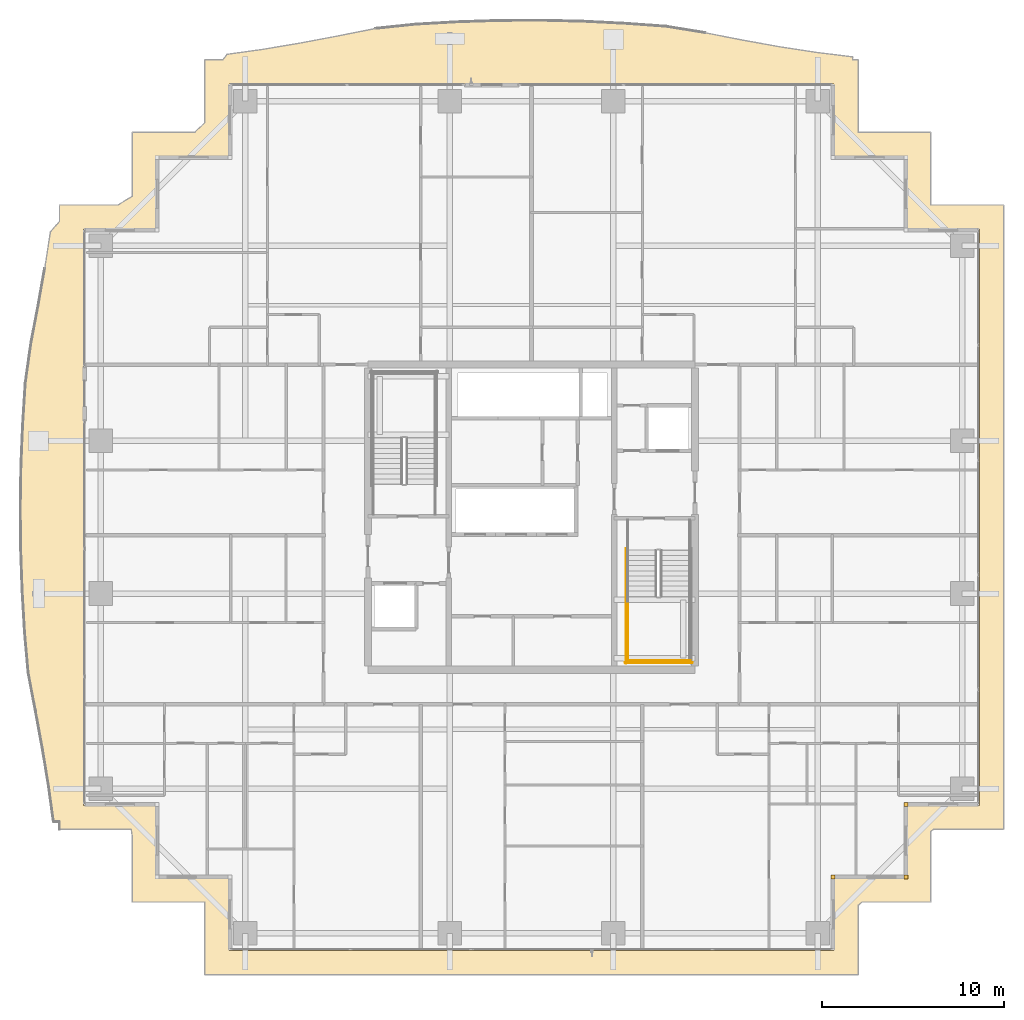
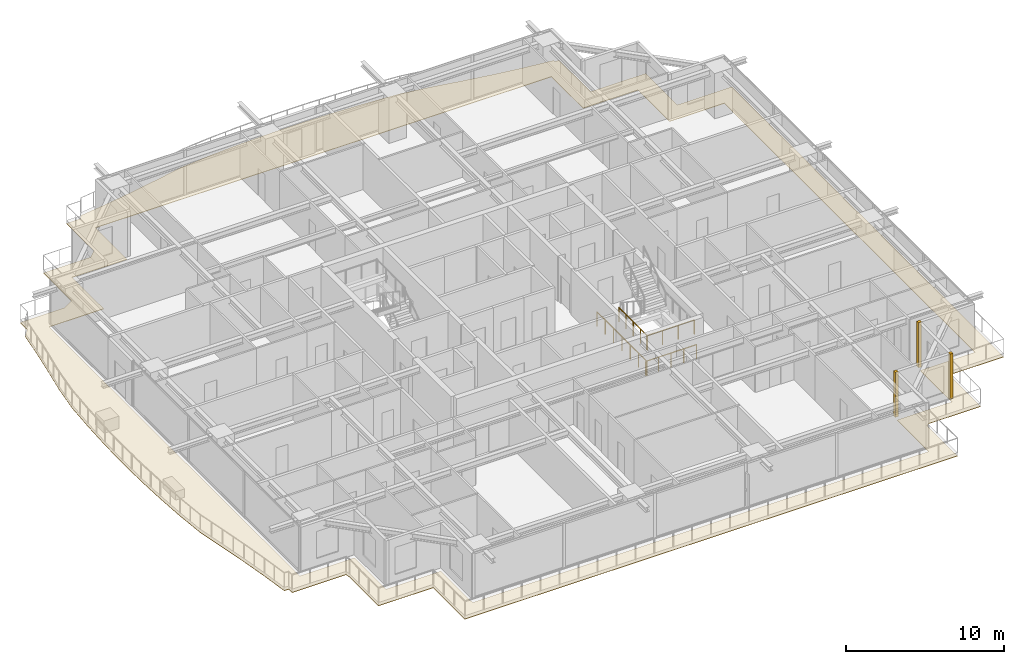
# One storey, part 36 of 39: 4 coverings, 4 railings.
"""IFC4 building model written with IfcOpenShell, lengths in metres."""

from ifc_helpers import new_model, si_unit, direction, frame, origin, origin_2d, place, context, subcontext, project, spatial, polyline, rectangle, circle, outline, extrude, source, transform, mapped, material, layer, layer_set, type_object, element, save


model = new_model("IFC4")

# Units and contexts
model_context = context("Model", 3, precision=1e-05, world=origin(), true_north=direction((0.0, 1.0)))
body_context = subcontext(model_context, "Body", "Model", "MODEL_VIEW")
ifc_project = project(units=[si_unit("LENGTHUNIT", "METRE"), si_unit("AREAUNIT", "SQUARE_METRE"), si_unit("VOLUMEUNIT", "CUBIC_METRE"), si_unit("PLANEANGLEUNIT", "RADIAN"), si_unit("MASSUNIT", "GRAM", prefix="KILO")], contexts=[model_context])

# Site, building, storey
site_placement = place(None, origin())
site = spatial("IfcSite", under=ifc_project, at=site_placement, CompositionType="ELEMENT")
building_placement = place(site_placement, origin())
building = spatial("IfcBuilding", under=site, at=building_placement, Name="Serunith Strait Residences", CompositionType="ELEMENT")
storey_placement = place(building_placement, frame((0.0, 0.0, 123.89990234375)))
storey = spatial("IfcBuildingStorey", under=building, at=storey_placement, Name="L30", CompositionType="ELEMENT", Elevation=123.89990234375)

# Covering
ifc_material_1 = material(Name="Golden Teak Exterior Timber Boarding", Category="wood")
ifc_layer_1 = layer(ifc_material_1, 0.034912109375, Name="Golden Teak Exterior Timber Boarding")
ifc_layer_set_1 = layer_set([ifc_layer_1], Name="Golden Teak Exterior Timber Boarding")
covering_type_1 = type_object("IfcCoveringType", Name="COV-TEAK-SOFFIT", PredefinedType="CEILING", material=ifc_layer_set_1)
covering_placement = place(storey_placement, frame((0.0, 0.0, -0.324951171875)))
element("IfcCovering", 1, at=covering_placement, inside=storey, type_object=covering_type_1, Name="L30 Golden-Teak Balcony Soffit Lining", PredefinedType="CEILING", context=body_context, shape_type="SweptSolid", body=[
    extrude(outline(polyline([(6.419921875, 8.02001953125), (6.419921875, 8.43017578125), (6.096923828125, 8.44873046875), (5.818603515625, 10.45068359375), (5.48583984375, 12.472412109375), (5.107177734375, 14.53076171875), (4.7060546875, 16.644287109375), (4.5078125, 18.869384765625), (4.376708984375, 21.136962890625), (4.29541015625, 23.42919921875), (4.272216796875, 25.733642578125), (4.30908203125, 28.03564453125), (4.403076171875, 30.3212890625), (4.544677734375, 32.5791015625), (4.8505859375, 34.75634765625), (5.24609375, 36.84521484375), (5.6083984375, 38.88623046875), (5.920654296875, 40.8974609375), (6.419921875, 41.4814453125), (6.419921875, 42.3798828125), (9.62939453125, 42.3798828125), (10.419921875, 42.8515625), (10.419921875, 46.3798828125), (13.863525390625, 46.3798828125), (14.419921875, 46.916015625), (14.419921875, 50.3798828125), (15.424072265625, 50.3798828125), (15.6328125, 50.672119140625), (17.630615234375, 50.95166015625), (19.647216796875, 51.290283203125), (21.70068359375, 51.679443359375), (23.8115234375, 52.095458984375), (26.036376953125, 52.325927734375), (28.3154296875, 52.456298828125), (30.6201171875, 52.530517578125), (32.93603515625, 52.540771484375), (35.2470703125, 52.486328125), (37.53759765625, 52.372802734375), (39.7958984375, 52.21142578125), (41.958740234375, 51.860107421875), (44.03759765625, 51.45361328125), (46.06982421875, 51.08935546875), (48.075439453125, 50.7822265625), (50.070068359375, 50.5341796875), (50.06884765625, 50.3798828125), (50.3798828125, 50.3798828125), (50.3798828125, 46.3798828125), (54.3798828125, 46.3798828125), (54.3798828125, 42.3798828125), (58.3798828125, 42.3798828125), (58.3798828125, 8.02001953125), (54.51513671875, 8.02001953125), (54.3798828125, 7.921875), (54.3798828125, 4.02001953125), (50.601806640625, 4.02001953125), (50.3798828125, 3.8408203125), (50.3798828125, 0.02001953125), (14.419921875, 0.02001953125), (14.419921875, 4.02001953125), (10.419921875, 4.02001953125), (10.419921875, 7.688232421875), (10.37109375, 8.02001953125), (6.419921875, 8.02001953125)]), holes=[polyline([(49.054931640625, 1.344970703125), (49.054931640625, 5.344970703125), (53.054931640625, 5.344970703125), (53.054931640625, 9.344970703125), (57.054931640625, 9.344970703125), (57.054931640625, 41.054931640625), (53.054931640625, 41.054931640625), (53.054931640625, 45.054931640625), (49.054931640625, 45.054931640625), (49.054931640625, 49.054931640625), (15.7451171875, 49.054931640625), (15.7451171875, 45.054931640625), (11.7451171875, 45.054931640625), (11.7451171875, 41.054931640625), (7.7451171875, 41.054931640625), (7.7451171875, 9.344970703125), (11.7451171875, 9.344970703125), (11.7451171875, 5.344970703125), (15.7451171875, 5.344970703125), (15.7451171875, 1.344970703125), (49.054931640625, 1.344970703125)])]), origin(), (0.0, 0.0, 1.0), 0.03515625),
])

# Railings
ifc_material_2 = material(Name="Brushed stainless steel 316L", Category="steel")
railing_type = type_object("IfcRailingType", Name="RLG-STAIR-GUARD", PredefinedType="BALUSTRADE", material=ifc_material_2)
railing_1_placement = place(storey_placement, frame((37.699951171875, 20.85009765625, 1.875)))
element("IfcRailing", 2, at=railing_1_placement, inside=storey, type_object=railing_type, Name="L30 ST-2 stair guard 3", PredefinedType="BALUSTRADE", context=body_context, shape_type="SweptSolid", body=[
    extrude(circle(Radius=0.02392578125, at=origin_2d()), frame((0.0, -0.001953125, 1.076171875), z_axis=(0.0, -1.0, 0.0), x_axis=(1.0, 0.0, 0.0)), (0.0, 0.0, 1.0), 3.59619140625),
    extrude(circle(Radius=0.02099609375, at=origin_2d()), origin(), (0.0, 0.0, 1.0), 1.050048828125),
    extrude(circle(Radius=0.02099609375, at=origin_2d()), frame((0.0, -0.89990234375, 0.0)), (0.0, 0.0, 1.0), 1.050048828125),
    extrude(circle(Radius=0.02099609375, at=origin_2d()), frame((0.0, -1.800048828125, 0.0)), (0.0, 0.0, 1.0), 1.050048828125),
    extrude(circle(Radius=0.02099609375, at=origin_2d()), frame((0.0, -2.7001953125, 0.0)), (0.0, 0.0, 1.0), 1.050048828125),
    extrude(circle(Radius=0.02099609375, at=origin_2d()), frame((0.0, -3.60009765625, 0.0)), (0.0, 0.0, 1.0), 1.050048828125),
])
railing_2_placement = place(storey_placement, frame((37.64990234375, 17.300048828125, 1.875)))
element("IfcRailing", 3, at=railing_2_placement, inside=storey, type_object=railing_type, Name="L30 ST-2 stair guard 5", PredefinedType="BALUSTRADE", context=body_context, shape_type="SweptSolid", body=[
    extrude(circle(Radius=0.02392578125, at=origin_2d()), frame((0.001953125, 0.0, 1.076171875), z_axis=(1.0, 0.0, 0.0), x_axis=(0.0, 1.0, 0.0)), (0.0, 0.0, 1.0), 3.49609375),
    extrude(circle(Radius=0.02099609375, at=origin_2d()), origin(), (0.0, 0.0, 1.0), 1.050048828125),
    extrude(circle(Radius=0.02099609375, at=origin_2d()), frame((1.166748046875, 0.0, 0.0)), (0.0, 0.0, 1.0), 1.050048828125),
    extrude(circle(Radius=0.02099609375, at=origin_2d()), frame((2.333251953125, 0.0, 0.0)), (0.0, 0.0, 1.0), 1.050048828125),
    extrude(circle(Radius=0.02099609375, at=origin_2d()), frame((3.5, 0.0, 0.0)), (0.0, 0.0, 1.0), 1.050048828125),
])
railing_3_placement = place(storey_placement, frame((37.60009765625, 23.469970703125, 0.0)))
element("IfcRailing", 4, at=railing_3_placement, inside=storey, type_object=railing_type, Name="L30 ST-2 stair guard 10", PredefinedType="BALUSTRADE", context=body_context, shape_type="SweptSolid", body=[
    extrude(circle(Radius=0.02392578125, at=origin_2d()), frame((0.0, -0.001953125, 1.076171875), z_axis=(0.0, -1.0, 0.0), x_axis=(1.0, 0.0, 0.0)), (0.0, 0.0, 1.0), 6.316162109375),
    extrude(circle(Radius=0.02099609375, at=origin_2d()), origin(), (0.0, 0.0, 1.0), 1.050048828125),
    extrude(circle(Radius=0.02099609375, at=origin_2d()), frame((0.0, -1.05322265625, 0.0)), (0.0, 0.0, 1.0), 1.050048828125),
    extrude(circle(Radius=0.02099609375, at=origin_2d()), frame((0.0, -2.106689453125, 0.0)), (0.0, 0.0, 1.0), 1.050048828125),
    extrude(circle(Radius=0.02099609375, at=origin_2d()), frame((0.0, -3.16015625, 0.0)), (0.0, 0.0, 1.0), 1.050048828125),
    extrude(circle(Radius=0.02099609375, at=origin_2d()), frame((0.0, -4.21337890625, 0.0)), (0.0, 0.0, 1.0), 1.050048828125),
    extrude(circle(Radius=0.02099609375, at=origin_2d()), frame((0.0, -5.2666015625, 0.0)), (0.0, 0.0, 1.0), 1.050048828125),
    extrude(circle(Radius=0.02099609375, at=origin_2d()), frame((0.0, -6.320068359375, 0.0)), (0.0, 0.0, 1.0), 1.050048828125),
])
railing_4_placement = place(storey_placement, frame((37.550048828125, 17.199951171875, 0.0)))
element("IfcRailing", 5, at=railing_4_placement, inside=storey, type_object=railing_type, Name="L30 ST-2 stair guard 12", PredefinedType="BALUSTRADE", context=body_context, shape_type="SweptSolid", body=[
    extrude(circle(Radius=0.02392578125, at=origin_2d()), frame((0.001953125, 0.0, 1.076171875), z_axis=(1.0, 0.0, 0.0), x_axis=(0.0, 1.0, 0.0)), (0.0, 0.0, 1.0), 3.696044921875),
    extrude(circle(Radius=0.02099609375, at=origin_2d()), origin(), (0.0, 0.0, 1.0), 1.050048828125),
    extrude(circle(Radius=0.02099609375, at=origin_2d()), frame((0.925048828125, 0.0, 0.0)), (0.0, 0.0, 1.0), 1.050048828125),
    extrude(circle(Radius=0.02099609375, at=origin_2d()), frame((1.85009765625, 0.0, 0.0)), (0.0, 0.0, 1.0), 1.050048828125),
    extrude(circle(Radius=0.02099609375, at=origin_2d()), frame((2.77490234375, 0.0, 0.0)), (0.0, 0.0, 1.0), 1.050048828125),
    extrude(circle(Radius=0.02099609375, at=origin_2d()), frame((3.699951171875, 0.0, 0.0)), (0.0, 0.0, 1.0), 1.050048828125),
])

# Coverings
ifc_material_3 = material(Name="Pale-Champagne Anodised Aluminium", Category="aluminium")
ifc_layer_2 = layer(ifc_material_3, 0.219970703125, Name="Pale-Champagne Anodised Aluminium")
ifc_layer_set_2 = layer_set([ifc_layer_2], Name="Pale-Champagne Anodised Aluminium")
covering_type_2 = type_object("IfcCoveringType", Name="COV-CORN-TRIM", PredefinedType="CLADDING", material=ifc_layer_set_2)
shared_shape = source(origin(), body_context, "Body", "SweptSolid", [
    extrude(rectangle(XDim=0.221923828125, YDim=0.221923828125, at=origin_2d()), origin(), (0.0, 0.0, 1.0), 3.47509765625),
])
for number, where, z_axis, x_axis, name in (
    (6, (49.0, 5.39990234375, 0.0), (0.0, 0.0, 1.0), (1.0, 0.0, 0.0), "L30 Girih Serrated Corner Trim Post 02"),
    (7, (53.0, 5.39990234375, 0.0), (0.0, 0.0, 1.0), (1.0, 0.0, 0.0), "L30 Girih Serrated Corner Trim Post 03"),
    (8, (53.0, 9.39990234375, 0.0), (0.0, 0.0, 1.0), (1.0, 0.0, 0.0), "L30 Girih Serrated Corner Trim Post 04"),
):
    element("IfcCovering", number, at=place(storey_placement, frame(where, z_axis=z_axis, x_axis=x_axis)), inside=storey, type_object=covering_type_2, Name=name, PredefinedType="CLADDING", context=body_context, shape_type="MappedRepresentation", body=[
        mapped(shared_shape, transform((0.0, 0.0, 0.0), scale=1.0)),
    ])

save(model, "model.ifc")
